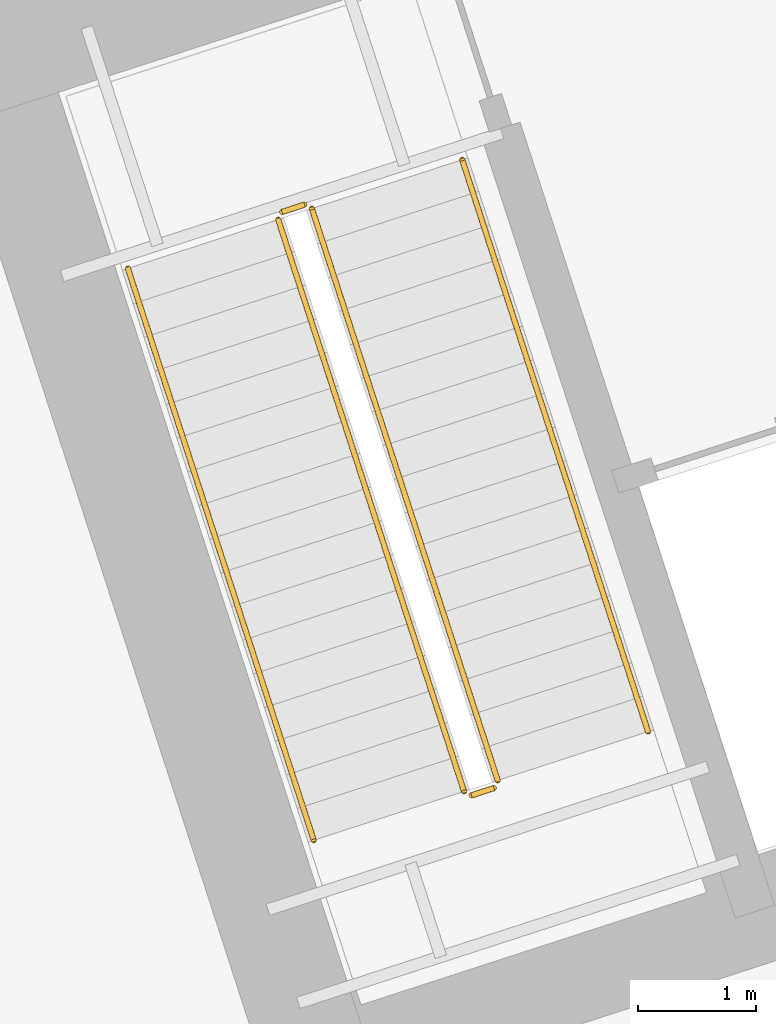
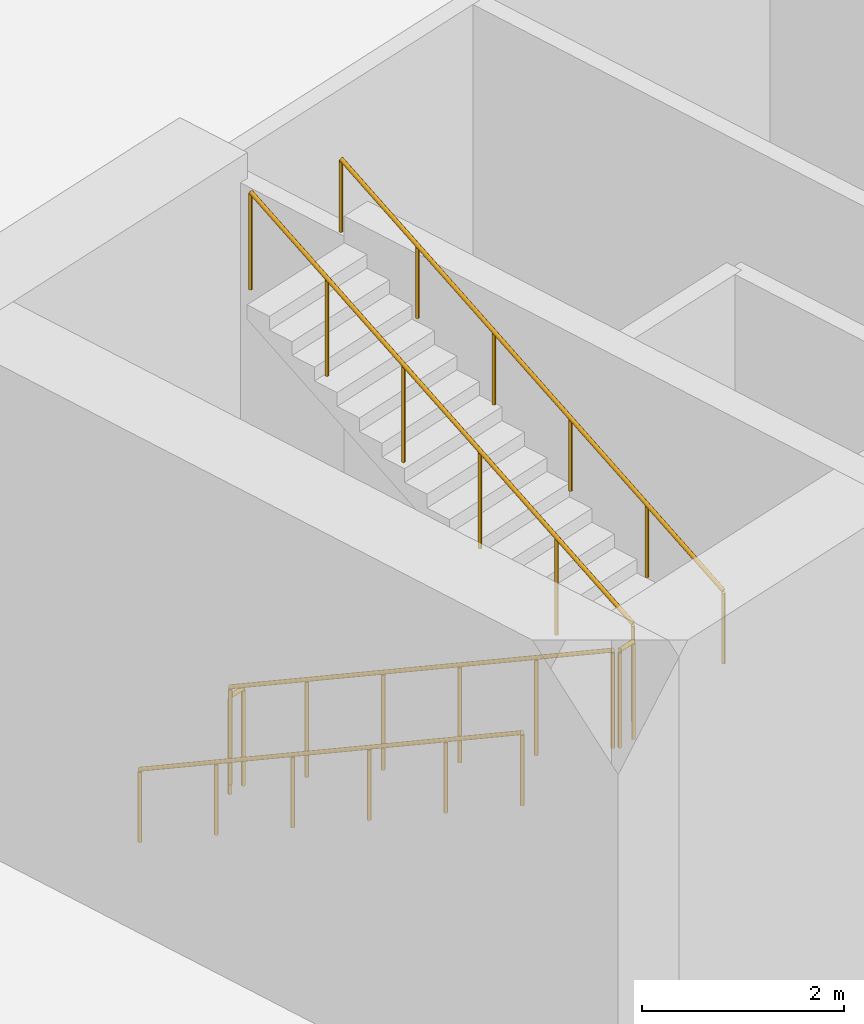
# One storey, part 18 of 20: 6 railings.
"""IFC4 building model written with IfcOpenShell, lengths in metres."""

from ifc_helpers import new_model, si_unit, direction, frame, origin, origin_2d, place, context, subcontext, project, spatial, circle, extrude, material, type_object, element, save


model = new_model("IFC4")

# Units and contexts
model_context = context("Model", 3, precision=1e-05, world=origin(), true_north=direction((0.0, 1.0)))
body_context = subcontext(model_context, "Body", "Model", "MODEL_VIEW")
ifc_project = project(units=[si_unit("LENGTHUNIT", "METRE"), si_unit("AREAUNIT", "SQUARE_METRE"), si_unit("VOLUMEUNIT", "CUBIC_METRE"), si_unit("PLANEANGLEUNIT", "RADIAN"), si_unit("MASSUNIT", "GRAM", prefix="KILO")], contexts=[model_context])

# Site, building, storey
site_placement = place(None, origin())
site = spatial("IfcSite", under=ifc_project, at=site_placement, CompositionType="ELEMENT")
building_placement = place(site_placement, origin())
building = spatial("IfcBuilding", under=site, at=building_placement, Name="Qiaolan Cultural Towers", CompositionType="ELEMENT")
storey_placement = place(building_placement, frame((0.0, 0.0, -6.0)))
storey = spatial("IfcBuildingStorey", under=building, at=storey_placement, Name="B1", CompositionType="ELEMENT", Elevation=-6.0)

# Railings
ifc_material_1 = material(Name="Galvanized Painted Steel Stair Guardrail", Category="steel")
railing_type_1 = type_object("IfcRailingType", Name="RL-STAIR-GRD", PredefinedType="GUARDRAIL", material=ifc_material_1)
railing_1_placement = place(storey_placement, frame((88.60205078125, 19.82421875, 0.166748046875)))
element("IfcRailing", 1, at=railing_1_placement, inside=storey, type_object=railing_type_1, Name="B1 ST-E1 stair guard 1", PredefinedType="GUARDRAIL", context=body_context, shape_type="SweptSolid", body=[
    extrude(circle(Radius=0.02392578125, at=origin_2d()), frame((0.0, 0.0, 1.17578125), z_axis=(0.270162499604, -0.831369017911, 0.485631320927), x_axis=(0.951044973649, 0.30905251673, 0.0)), (0.0, 0.0, 1.0), 5.834228515625),
    extrude(circle(Radius=0.02099609375, at=origin_2d()), origin(), (0.0, 0.0, 1.0), 1.15185546875),
    extrude(circle(Radius=0.02099609375, at=origin_2d()), frame((0.315185546875, -0.969970703125, 0.566650390625)), (0.0, 0.0, 1.0), 1.15185546875),
    extrude(circle(Radius=0.02099609375, at=origin_2d()), frame((0.63037109375, -1.940185546875, 1.13330078125)), (0.0, 0.0, 1.0), 1.15185546875),
    extrude(circle(Radius=0.02099609375, at=origin_2d()), frame((0.94580078125, -2.91015625, 1.699951171875)), (0.0, 0.0, 1.0), 1.15185546875),
    extrude(circle(Radius=0.02099609375, at=origin_2d()), frame((1.260986328125, -3.88037109375, 2.2666015625)), (0.0, 0.0, 1.0), 1.15185546875),
    extrude(circle(Radius=0.02099609375, at=origin_2d()), frame((1.576171875, -4.850341796875, 2.833251953125)), (0.0, 0.0, 1.0), 1.15185546875),
])
railing_2_placement = place(storey_placement, frame((90.2412109375, 14.941650390625, 3.0)))
element("IfcRailing", 2, at=railing_2_placement, inside=storey, type_object=railing_type_1, Name="B1 ST-E1 stair guard 2", PredefinedType="GUARDRAIL", context=body_context, shape_type="SweptSolid", body=[
    extrude(circle(Radius=0.02392578125, at=origin_2d()), frame((0.0, 0.0, 1.17578125), z_axis=(0.951096855055, 0.308892816854, 0.0), x_axis=(-0.308892816854, 0.951096855055, 0.0)), (0.0, 0.0, 1.0), 0.199951171875),
    extrude(circle(Radius=0.02099609375, at=origin_2d()), origin(), (0.0, 0.0, 1.0), 1.15185546875),
    extrude(circle(Radius=0.02099609375, at=origin_2d()), frame((0.190185546875, 0.061767578125, 0.0)), (0.0, 0.0, 1.0), 1.15185546875),
])
railing_3_placement = place(storey_placement, frame((90.46337890625, 15.066650390625, 3.166748046875)))
element("IfcRailing", 3, at=railing_3_placement, inside=storey, type_object=railing_type_1, Name="B1 ST-E1 stair guard 3", PredefinedType="GUARDRAIL", context=body_context, shape_type="SweptSolid", body=[
    extrude(circle(Radius=0.02392578125, at=origin_2d()), frame((0.0, 0.0, 1.17578125), z_axis=(-0.270123706514, 0.831378416316, 0.48563681086), x_axis=(-0.951059043131, -0.309009217467, 0.0)), (0.0, 0.0, 1.0), 5.833984375),
    extrude(circle(Radius=0.02099609375, at=origin_2d()), origin(), (0.0, 0.0, 1.0), 1.15185546875),
    extrude(circle(Radius=0.02099609375, at=origin_2d()), frame((-0.315185546875, 0.969970703125, 0.566650390625)), (0.0, 0.0, 1.0), 1.15185546875),
    extrude(circle(Radius=0.02099609375, at=origin_2d()), frame((-0.63037109375, 1.940185546875, 1.13330078125)), (0.0, 0.0, 1.0), 1.15185546875),
    extrude(circle(Radius=0.02099609375, at=origin_2d()), frame((-0.945556640625, 2.91015625, 1.699951171875)), (0.0, 0.0, 1.0), 1.15185546875),
    extrude(circle(Radius=0.02099609375, at=origin_2d()), frame((-1.2607421875, 3.88037109375, 2.2666015625)), (0.0, 0.0, 1.0), 1.15185546875),
    extrude(circle(Radius=0.02099609375, at=origin_2d()), frame((-1.575927734375, 4.850341796875, 2.833251953125)), (0.0, 0.0, 1.0), 1.15185546875),
])
railing_4_placement = place(storey_placement, frame((88.63427734375, 19.88720703125, 0.0)))
element("IfcRailing", 4, at=railing_4_placement, inside=storey, type_object=railing_type_1, Name="B1 ST-E1 stair guard 4", PredefinedType="GUARDRAIL", context=body_context, shape_type="SweptSolid", body=[
    extrude(circle(Radius=0.02392578125, at=origin_2d()), frame((0.0, 0.0, 1.17578125), z_axis=(0.951096855055, 0.308892816854, 0.0), x_axis=(-0.308892816854, 0.951096855055, 0.0)), (0.0, 0.0, 1.0), 0.199951171875),
    extrude(circle(Radius=0.02099609375, at=origin_2d()), origin(), (0.0, 0.0, 1.0), 1.15185546875),
    extrude(circle(Radius=0.02099609375, at=origin_2d()), frame((0.190185546875, 0.061767578125, 0.0)), (0.0, 0.0, 1.0), 1.15185546875),
])
ifc_material_2 = material(Name="Stainless Steel S30408 Tubular Handrail", Category="steel")
railing_type_2 = type_object("IfcRailingType", Name="RL-STAIR-HR", PredefinedType="HANDRAIL", material=ifc_material_2)
railing_5_placement = place(storey_placement, frame((87.32763671875, 19.41015625, 0.166748046875)))
element("IfcRailing", 5, at=railing_5_placement, inside=storey, type_object=railing_type_2, Name="B1 ST-E1 stair handrail 1", PredefinedType="HANDRAIL", context=body_context, shape_type="SweptSolid", body=[
    extrude(circle(Radius=0.02392578125, at=origin_2d()), frame((0.0, 0.0, 0.8759765625), z_axis=(0.270162499604, -0.831369017911, 0.485631320927), x_axis=(0.951044973649, 0.30905251673, 0.0)), (0.0, 0.0, 1.0), 5.834228515625),
    extrude(circle(Radius=0.02099609375, at=origin_2d()), origin(), (0.0, 0.0, 1.0), 0.851806640625),
    extrude(circle(Radius=0.02099609375, at=origin_2d()), frame((0.315185546875, -0.969970703125, 0.566650390625)), (0.0, 0.0, 1.0), 0.851806640625),
    extrude(circle(Radius=0.02099609375, at=origin_2d()), frame((0.63037109375, -1.940185546875, 1.13330078125)), (0.0, 0.0, 1.0), 0.851806640625),
    extrude(circle(Radius=0.02099609375, at=origin_2d()), frame((0.94580078125, -2.91015625, 1.699951171875)), (0.0, 0.0, 1.0), 0.851806640625),
    extrude(circle(Radius=0.02099609375, at=origin_2d()), frame((1.260986328125, -3.88037109375, 2.2666015625)), (0.0, 0.0, 1.0), 0.851806640625),
    extrude(circle(Radius=0.02099609375, at=origin_2d()), frame((1.576171875, -4.850341796875, 2.833251953125)), (0.0, 0.0, 1.0), 0.851806640625),
])
railing_6_placement = place(storey_placement, frame((91.73779296875, 15.480712890625, 3.166748046875)))
element("IfcRailing", 6, at=railing_6_placement, inside=storey, type_object=railing_type_2, Name="B1 ST-E1 stair handrail 2", PredefinedType="HANDRAIL", context=body_context, shape_type="SweptSolid", body=[
    extrude(circle(Radius=0.02392578125, at=origin_2d()), frame((0.0, 0.0, 0.8759765625), z_axis=(-0.270123706514, 0.831378416316, 0.48563681086), x_axis=(-0.951059043131, -0.309009217467, 0.0)), (0.0, 0.0, 1.0), 5.833984375),
    extrude(circle(Radius=0.02099609375, at=origin_2d()), origin(), (0.0, 0.0, 1.0), 0.851806640625),
    extrude(circle(Radius=0.02099609375, at=origin_2d()), frame((-0.315185546875, 0.969970703125, 0.566650390625)), (0.0, 0.0, 1.0), 0.851806640625),
    extrude(circle(Radius=0.02099609375, at=origin_2d()), frame((-0.63037109375, 1.940185546875, 1.13330078125)), (0.0, 0.0, 1.0), 0.851806640625),
    extrude(circle(Radius=0.02099609375, at=origin_2d()), frame((-0.945556640625, 2.91015625, 1.699951171875)), (0.0, 0.0, 1.0), 0.851806640625),
    extrude(circle(Radius=0.02099609375, at=origin_2d()), frame((-1.2607421875, 3.88037109375, 2.2666015625)), (0.0, 0.0, 1.0), 0.851806640625),
    extrude(circle(Radius=0.02099609375, at=origin_2d()), frame((-1.575927734375, 4.850341796875, 2.833251953125)), (0.0, 0.0, 1.0), 0.851806640625),
])

save(model, "model.ifc")
